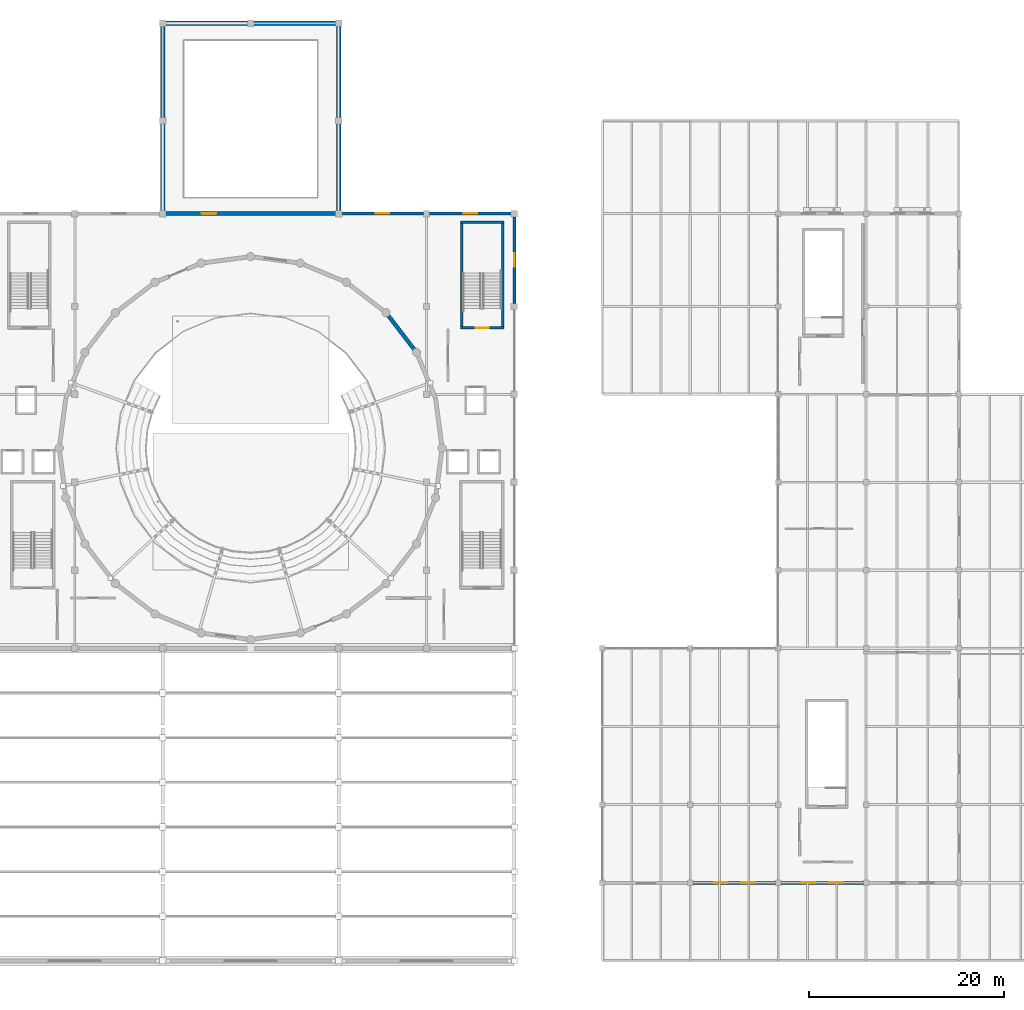
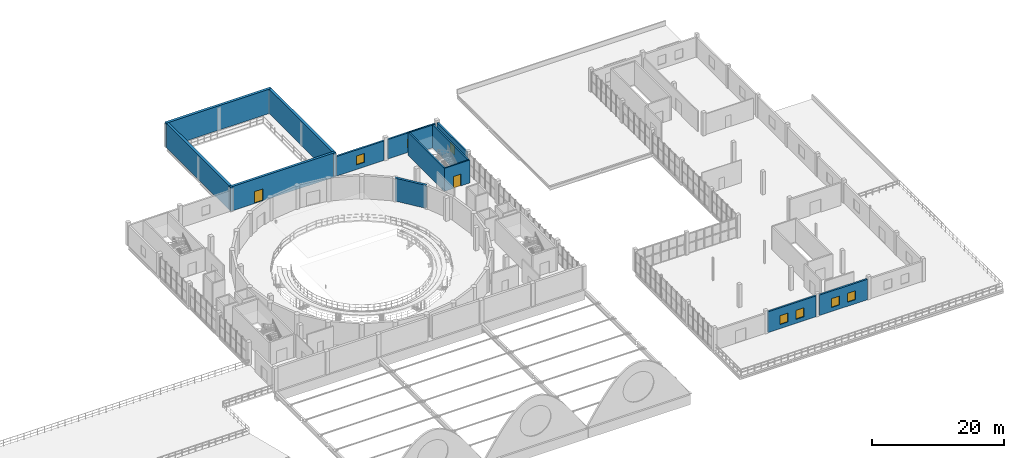
# One storey, part 43 of 54: 14 walls, 7 windows, 2 doors, 9 openings.
"""IFC4 building model written with IfcOpenShell, lengths in metres."""

from ifc_helpers import new_model, si_unit, direction, frame, frame_2d, origin, place, context, subcontext, project, spatial, rectangle, extrude, material, layer, layer_set, type_object, element, fill, save


model = new_model("IFC4")

# Units and contexts
model_context = context("Model", 3, precision=1e-05, world=origin(), true_north=direction((0.0, 1.0)))
body_context = subcontext(model_context, "Body", "Model", "MODEL_VIEW")
ifc_project = project(units=[si_unit("LENGTHUNIT", "METRE"), si_unit("AREAUNIT", "SQUARE_METRE"), si_unit("VOLUMEUNIT", "CUBIC_METRE"), si_unit("PLANEANGLEUNIT", "RADIAN"), si_unit("MASSUNIT", "GRAM", prefix="KILO")], contexts=[model_context])

# Site, building, storey
site_placement = place(None, origin())
site = spatial("IfcSite", under=ifc_project, at=site_placement, CompositionType="ELEMENT")
building_placement = place(site_placement, origin())
building = spatial("IfcBuilding", under=site, at=building_placement, Name="Marnock Terrace Opera House", CompositionType="ELEMENT")
storey_placement = place(building_placement, frame((0.0, 0.0, 19.199951171875)))
storey = spatial("IfcBuildingStorey", under=building, at=storey_placement, Name="L04", CompositionType="ELEMENT", Elevation=19.199951171875)

# Wall, openings, windows
ifc_material_1 = material(Name="Basket Range sandstone ashlar masonry", Category="masonry")
ifc_layer_1 = layer(ifc_material_1, 0.31005859375)
ifc_layer_set_1 = layer_set([ifc_layer_1], Name="Basket Range sandstone ashlar masonry")
wall_type_1 = type_object("IfcWallType", Name="EW-ATTIC-310", PredefinedType="SOLIDWALL", material=ifc_layer_set_1)
wall_1_placement = place(storey_placement, frame((127.27099609375, 16.0, 0.0), z_axis=(0.0, 0.0, 1.0), x_axis=(1.0, 0.0, 0.0)))
wall_1 = element("IfcWall", 1, at=wall_1_placement, inside=storey, type_object=wall_type_1, Name="L04 Volume 5 south sandstone facade 2", PredefinedType="SOLIDWALL", context=body_context, shape_type="SweptSolid", body=[
    extrude(rectangle(XDim=8.4580078125, YDim=0.31005859375, at=frame_2d((4.22900390625, 0.0))), origin(), (0.0, 0.0, 1.0), 3.847412109375),
])
opening_1_placement = place(wall_1_placement, frame((2.119384765625, 0.0, 0.75)))
opening_1 = element("IfcOpeningElement", 2, at=opening_1_placement, cuts=wall_1, Name="Opening WT-138", PredefinedType="OPENING", context=body_context, shape_type="SweptSolid", body=[
    extrude(rectangle(XDim=1.39990234375, YDim=1.64990234375, at=frame_2d((0.699951171875, 0.824951171875))), frame((0.0, 0.1650390625, 0.0), z_axis=(0.0, -1.0, 0.0), x_axis=(1.0, 0.0, 0.0)), (0.0, 0.0, 1.0), 0.330078125),
])
opening_2_placement = place(wall_1_placement, frame((4.938720703125, 0.0, 0.75)))
opening_2 = element("IfcOpeningElement", 3, at=opening_2_placement, cuts=wall_1, Name="Opening WT-138", PredefinedType="OPENING", context=body_context, shape_type="SweptSolid", body=[
    extrude(rectangle(XDim=1.39990234375, YDim=1.64990234375, at=frame_2d((0.699951171875, 0.824951171875))), frame((0.0, 0.1650390625, 0.0), z_axis=(0.0, -1.0, 0.0), x_axis=(1.0, 0.0, 0.0)), (0.0, 0.0, 1.0), 0.330078125),
])
ifc_material_2 = material(Name="Double-glazed acoustic low-E laminated glass", Category="glass")
window_type = type_object("IfcWindowType", Name="WT-ATTIC-1400", PartitioningType="SINGLE_PANEL", PredefinedType="WINDOW", material=ifc_material_2)
window_1_placement = place(opening_1_placement, origin())
window_1 = element("IfcWindow", 4, at=window_1_placement, inside=storey, type_object=window_type, Name="L04 facade window EW-V5S-L04-2.1", OverallHeight=1.64990234375, OverallWidth=1.39990234375, PartitioningType="SINGLE_PANEL", PredefinedType="WINDOW", context=body_context, shape_type="SweptSolid", body=[
    extrude(rectangle(XDim=1.39990234375, YDim=1.64990234375, at=frame_2d((0.699951171875, 0.824951171875))), frame((0.0, 0.030029296875, 0.0), z_axis=(0.0, -1.0, 0.0), x_axis=(1.0, 0.0, 0.0)), (0.0, 0.0, 1.0), 0.06005859375),
])
fill(opening_1, window_1)
window_2_placement = place(opening_2_placement, origin())
window_2 = element("IfcWindow", 5, at=window_2_placement, inside=storey, type_object=window_type, Name="L04 facade window EW-V5S-L04-2.2", OverallHeight=1.64990234375, OverallWidth=1.39990234375, PartitioningType="SINGLE_PANEL", PredefinedType="WINDOW", context=body_context, shape_type="SweptSolid", body=[
    extrude(rectangle(XDim=1.39990234375, YDim=1.64990234375, at=frame_2d((0.699951171875, 0.824951171875))), frame((0.0, 0.030029296875, 0.0), z_axis=(0.0, -1.0, 0.0), x_axis=(1.0, 0.0, 0.0)), (0.0, 0.0, 1.0), 0.06005859375),
])
fill(opening_2, window_2)

wall_2_placement = place(storey_placement, frame((136.27099609375, 16.0, 0.0), z_axis=(0.0, 0.0, 1.0), x_axis=(1.0, 0.0, 0.0)))
wall_2 = element("IfcWall", 6, at=wall_2_placement, inside=storey, type_object=wall_type_1, Name="L04 Volume 5 south sandstone facade 3", PredefinedType="SOLIDWALL", context=body_context, shape_type="SweptSolid", body=[
    extrude(rectangle(XDim=8.4580078125, YDim=0.31005859375, at=frame_2d((4.22900390625, 0.0))), origin(), (0.0, 0.0, 1.0), 3.78955078125),
])
opening_3_placement = place(wall_2_placement, frame((2.119384765625, 0.0, 0.75)))
opening_3 = element("IfcOpeningElement", 7, at=opening_3_placement, cuts=wall_2, Name="Opening WT-138", PredefinedType="OPENING", context=body_context, shape_type="SweptSolid", body=[
    extrude(rectangle(XDim=1.39990234375, YDim=1.64990234375, at=frame_2d((0.699951171875, 0.824951171875))), frame((0.0, 0.1650390625, 0.0), z_axis=(0.0, -1.0, 0.0), x_axis=(1.0, 0.0, 0.0)), (0.0, 0.0, 1.0), 0.330078125),
])
opening_4_placement = place(wall_2_placement, frame((4.938720703125, 0.0, 0.75)))
opening_4 = element("IfcOpeningElement", 8, at=opening_4_placement, cuts=wall_2, Name="Opening WT-138", PredefinedType="OPENING", context=body_context, shape_type="SweptSolid", body=[
    extrude(rectangle(XDim=1.39990234375, YDim=1.64990234375, at=frame_2d((0.699951171875, 0.824951171875))), frame((0.0, 0.1650390625, 0.0), z_axis=(0.0, -1.0, 0.0), x_axis=(1.0, 0.0, 0.0)), (0.0, 0.0, 1.0), 0.330078125),
])
window_3_placement = place(opening_3_placement, origin())
window_3 = element("IfcWindow", 9, at=window_3_placement, inside=storey, type_object=window_type, Name="L04 facade window EW-V5S-L04-3.1", OverallHeight=1.64990234375, OverallWidth=1.39990234375, PartitioningType="SINGLE_PANEL", PredefinedType="WINDOW", context=body_context, shape_type="SweptSolid", body=[
    extrude(rectangle(XDim=1.39990234375, YDim=1.64990234375, at=frame_2d((0.699951171875, 0.824951171875))), frame((0.0, 0.030029296875, 0.0), z_axis=(0.0, -1.0, 0.0), x_axis=(1.0, 0.0, 0.0)), (0.0, 0.0, 1.0), 0.06005859375),
])
fill(opening_3, window_3)
window_4_placement = place(opening_4_placement, origin())
window_4 = element("IfcWindow", 10, at=window_4_placement, inside=storey, type_object=window_type, Name="L04 facade window EW-V5S-L04-3.2", OverallHeight=1.64990234375, OverallWidth=1.39990234375, PartitioningType="SINGLE_PANEL", PredefinedType="WINDOW", context=body_context, shape_type="SweptSolid", body=[
    extrude(rectangle(XDim=1.39990234375, YDim=1.64990234375, at=frame_2d((0.699951171875, 0.824951171875))), frame((0.0, 0.030029296875, 0.0), z_axis=(0.0, -1.0, 0.0), x_axis=(1.0, 0.0, 0.0)), (0.0, 0.0, 1.0), 0.06005859375),
])
fill(opening_4, window_4)

# Wall, opening, window
wall_3_placement = place(storey_placement, frame((91.321044921875, 84.5, 0.0), z_axis=(0.0, 0.0, 1.0), x_axis=(1.0, 0.0, 0.0)))
wall_3 = element("IfcWall", 11, at=wall_3_placement, inside=storey, type_object=wall_type_1, Name="L04 Drum block north wall", PredefinedType="SOLIDWALL", context=body_context, shape_type="SweptSolid", body=[
    extrude(rectangle(XDim=8.35791015625, YDim=0.31005859375, at=frame_2d((4.178955078125, 0.0))), origin(), (0.0, 0.0, 1.0), 3.613037109375),
])
opening_5_placement = place(wall_3_placement, frame((3.47900390625, 0.0, 0.85009765625)))
opening_5 = element("IfcOpeningElement", 12, at=opening_5_placement, cuts=wall_3, Name="Opening WT-138", PredefinedType="OPENING", context=body_context, shape_type="SweptSolid", body=[
    extrude(rectangle(XDim=1.39990234375, YDim=1.64990234375, at=frame_2d((0.699951171875, 0.824951171875))), frame((0.0, 0.1650390625, 0.0), z_axis=(0.0, -1.0, 0.0), x_axis=(1.0, 0.0, 0.0)), (0.0, 0.0, 1.0), 0.330078125),
])
window_5_placement = place(opening_5_placement, origin())
window_5 = element("IfcWindow", 13, at=window_5_placement, inside=storey, type_object=window_type, Name="L04 facade window EW-V1-Y84-L04-91.1", OverallHeight=1.64990234375, OverallWidth=1.39990234375, PartitioningType="SINGLE_PANEL", PredefinedType="WINDOW", context=body_context, shape_type="SweptSolid", body=[
    extrude(rectangle(XDim=1.39990234375, YDim=1.64990234375, at=frame_2d((0.699951171875, 0.824951171875))), frame((0.0, 0.030029296875, 0.0), z_axis=(0.0, -1.0, 0.0), x_axis=(1.0, 0.0, 0.0)), (0.0, 0.0, 1.0), 0.06005859375),
])
fill(opening_5, window_5)

wall_4_placement = place(storey_placement, frame((100.321044921875, 84.5, 0.0), z_axis=(0.0, 0.0, 1.0), x_axis=(1.0, 0.0, 0.0)))
wall_4 = element("IfcWall", 14, at=wall_4_placement, inside=storey, type_object=wall_type_1, Name="L04 Drum block north wall", PredefinedType="SOLIDWALL", context=body_context, shape_type="SweptSolid", body=[
    extrude(rectangle(XDim=8.35791015625, YDim=0.31005859375, at=frame_2d((4.178955078125, 0.0))), origin(), (0.0, 0.0, 1.0), 3.6083984375),
])
opening_6_placement = place(wall_4_placement, frame((3.47900390625, 0.0, 0.85009765625)))
opening_6 = element("IfcOpeningElement", 15, at=opening_6_placement, cuts=wall_4, Name="Opening WT-138", PredefinedType="OPENING", context=body_context, shape_type="SweptSolid", body=[
    extrude(rectangle(XDim=1.39990234375, YDim=1.64990234375, at=frame_2d((0.699951171875, 0.824951171875))), frame((0.0, 0.1650390625, 0.0), z_axis=(0.0, -1.0, 0.0), x_axis=(1.0, 0.0, 0.0)), (0.0, 0.0, 1.0), 0.330078125),
])
window_6_placement = place(opening_6_placement, origin())
window_6 = element("IfcWindow", 16, at=window_6_placement, inside=storey, type_object=window_type, Name="L04 facade window EW-V1-Y84-L04-100.1", OverallHeight=1.64990234375, OverallWidth=1.39990234375, PartitioningType="SINGLE_PANEL", PredefinedType="WINDOW", context=body_context, shape_type="SweptSolid", body=[
    extrude(rectangle(XDim=1.39990234375, YDim=1.64990234375, at=frame_2d((0.699951171875, 0.824951171875))), frame((0.0, 0.030029296875, 0.0), z_axis=(0.0, -1.0, 0.0), x_axis=(1.0, 0.0, 0.0)), (0.0, 0.0, 1.0), 0.06005859375),
])
fill(opening_6, window_6)

wall_5_placement = place(storey_placement, frame((109.0, 75.321044921875, 0.0), z_axis=(0.0, 0.0, 1.0), x_axis=(0.0, 1.0, 0.0)))
wall_5 = element("IfcWall", 17, at=wall_5_placement, inside=storey, type_object=wall_type_1, Name="L04 Drum block E wall", PredefinedType="SOLIDWALL", context=body_context, shape_type="SweptSolid", body=[
    extrude(rectangle(XDim=8.85791015625, YDim=0.31005859375, at=frame_2d((4.428955078125, 0.0))), origin(), (0.0, 0.0, 1.0), 3.864501953125),
])
opening_7_placement = place(wall_5_placement, frame((3.72900390625, 0.0, 0.85009765625)))
opening_7 = element("IfcOpeningElement", 18, at=opening_7_placement, cuts=wall_5, Name="Opening WT-138", PredefinedType="OPENING", context=body_context, shape_type="SweptSolid", body=[
    extrude(rectangle(XDim=1.39990234375, YDim=1.64990234375, at=frame_2d((0.699951171875, 0.824951171875))), frame((0.0, 0.1650390625, 0.0), z_axis=(0.0, -1.0, 0.0), x_axis=(1.0, 0.0, 0.0)), (0.0, 0.0, 1.0), 0.330078125),
])
window_7_placement = place(opening_7_placement, origin())
window_7 = element("IfcWindow", 19, at=window_7_placement, inside=storey, type_object=window_type, Name="L04 facade window EW-V1E-L04-75.1", OverallHeight=1.64990234375, OverallWidth=1.39990234375, PartitioningType="SINGLE_PANEL", PredefinedType="WINDOW", context=body_context, shape_type="SweptSolid", body=[
    extrude(rectangle(XDim=1.39990234375, YDim=1.64990234375, at=frame_2d((0.699951171875, 0.824951171875))), frame((0.0, 0.030029296875, 0.0), z_axis=(0.0, -1.0, 0.0), x_axis=(1.0, 0.0, 0.0)), (0.0, 0.0, 1.0), 0.06005859375),
])
fill(opening_7, window_7)

# Wall, opening, door
ifc_material_3 = material(Name="Concrete N40 (f'c = 40 MPa)", Category="concrete")
ifc_layer_2 = layer(ifc_material_3, 0.25)
ifc_layer_set_2 = layer_set([ifc_layer_2], Name="Concrete N40 (f'c = 40 MPa)")
wall_type_2 = type_object("IfcWallType", Name="SW-CORE-250", PredefinedType="SHEAR", material=ifc_layer_set_2)
wall_6_placement = place(storey_placement, frame((103.47509765625, 72.800048828125, 0.0), z_axis=(0.0, 0.0, 1.0), x_axis=(1.0, 0.0, 0.0)))
wall_6 = element("IfcWall", 20, at=wall_6_placement, inside=storey, type_object=wall_type_2, Name="L04 Core C4 FRL 120/120/120 shear wall S", PredefinedType="SHEAR", context=body_context, shape_type="SweptSolid", body=[
    extrude(rectangle(XDim=4.449951171875, YDim=0.25, at=frame_2d((2.22509765625, 0.0))), origin(), (0.0, 0.0, 1.0), 4.25),
])
opening_8_placement = place(wall_6_placement, frame((1.574951171875, 0.0, 0.0)))
opening_8 = element("IfcOpeningElement", 21, at=opening_8_placement, cuts=wall_6, Name="Opening SD-C4-L04", PredefinedType="OPENING", context=body_context, shape_type="SweptSolid", body=[
    extrude(rectangle(XDim=1.300048828125, YDim=2.179931640625, at=frame_2d((0.64990234375, 1.08984375))), frame((0.0, 0.135009765625, 0.0), z_axis=(0.0, -1.0, 0.0), x_axis=(1.0, 0.0, 0.0)), (0.0, 0.0, 1.0), 0.27001953125),
])
ifc_material_4 = material(Name="Fire-rated acoustic timber-core door assembly", Category="wood")
door_type_1 = type_object("IfcDoorType", Name="DT-STAIR-1300", OperationType="NOTDEFINED", PredefinedType="DOOR", material=ifc_material_4)
door_1_placement = place(opening_8_placement, origin())
door_1 = element("IfcDoor", 22, at=door_1_placement, inside=storey, type_object=door_type_1, Name="L04 Stair ST-04 fire-isolated exit door", OperationType="SINGLE_SWING_LEFT", OverallHeight=2.179931640625, OverallWidth=1.300048828125, PredefinedType="DOOR", context=body_context, shape_type="SweptSolid", body=[
    extrude(rectangle(XDim=1.300048828125, YDim=2.179931640625, at=frame_2d((0.64990234375, 1.08984375))), frame((0.0, 0.02490234375, 0.0), z_axis=(0.0, -1.0, 0.0), x_axis=(1.0, 0.0, 0.0)), (0.0, 0.0, 1.0), 0.050048828125),
])
fill(opening_8, door_1)

# Walls
wall_7_placement = place(storey_placement, frame((103.47509765625, 83.639892578125, 0.0), z_axis=(0.0, 0.0, 1.0), x_axis=(1.0, 0.0, 0.0)))
element("IfcWall", 23, at=wall_7_placement, inside=storey, type_object=wall_type_2, Name="L04 Core C4 FRL 120/120/120 shear wall N", PredefinedType="SHEAR", context=body_context, shape_type="SweptSolid", body=[
    extrude(rectangle(XDim=4.449951171875, YDim=0.25, at=frame_2d((2.22509765625, 0.0))), origin(), (0.0, 0.0, 1.0), 4.25),
])
for number, where, z_axis, x_axis, name in (
    (24, (103.60009765625, 72.675048828125, 0.0), (0.0, 0.0, 1.0), (0.0, 1.0, 0.0), "L04 Core C4 FRL 120/120/120 shear wall W"),
    (25, (107.800048828125, 72.675048828125, 0.0), (0.0, 0.0, 1.0), (0.0, 1.0, 0.0), "L04 Core C4 FRL 120/120/120 shear wall E"),
):
    element("IfcWall", number, at=place(storey_placement, frame(where, z_axis=z_axis, x_axis=x_axis)), inside=storey, type_object=wall_type_2, Name=name, PredefinedType="SHEAR", context=body_context, shape_type="SweptSolid", body=[
        extrude(rectangle(XDim=11.08984375, YDim=0.25, at=frame_2d((5.544921875, 0.0))), origin(), (0.0, 0.0, 1.0), 4.25),
    ])
ifc_material_5 = material(Name="Concrete N50 (f'c = 50 MPa)", Category="concrete")
ifc_layer_3 = layer(ifc_material_5, 0.39990234375)
ifc_layer_set_3 = layer_set([ifc_layer_3], Name="Concrete N50 (f'c = 50 MPa)")
wall_type_3 = type_object("IfcWallType", Name="SW-DRUM-400", PredefinedType="SHEAR", material=ifc_layer_set_3)
wall_8_placement = place(storey_placement, frame((98.97412109375, 70.300048828125, 0.0), z_axis=(0.0, 0.0, 1.0), x_axis=(-0.608857194409, 0.793279847731, 0.0)))
element("IfcWall", 26, at=wall_8_placement, inside=storey, type_object=wall_type_3, Name="L04 cylindrical auditorium drum shear wall 3", PredefinedType="SHEAR", context=body_context, shape_type="SweptSolid", body=[
    extrude(rectangle(XDim=5.116455078125, YDim=0.39990234375, at=frame_2d((2.55810546875, 0.0))), origin(), (0.0, 0.0, 1.0), 4.25),
])
ifc_layer_4 = layer(ifc_material_5, 0.449951171875)
ifc_layer_set_4 = layer_set([ifc_layer_4], Name="Concrete N50 (f'c = 50 MPa)")
wall_type_4 = type_object("IfcWallType", Name="SW-FLY-450", PredefinedType="SHEAR", material=ifc_layer_set_4)
wall_9_placement = place(storey_placement, frame((72.77490234375, 104.0, 0.0), z_axis=(0.0, 0.0, 1.0), x_axis=(1.0, 0.0, 0.0)))
element("IfcWall", 27, at=wall_9_placement, inside=storey, type_object=wall_type_4, Name="L04 Fly Tower north shear wall", PredefinedType="SHEAR", context=body_context, shape_type="SweptSolid", body=[
    extrude(rectangle(XDim=18.4501953125, YDim=0.449951171875, at=frame_2d((9.22509765625, 0.0))), origin(), (0.0, 0.0, 1.0), 4.5),
])
for number, where, z_axis, x_axis, name in (
    (28, (73.0, 84.27490234375, 0.0), (0.0, 0.0, 1.0), (0.0, 1.0, 0.0), "L04 Fly Tower west shear wall"),
    (29, (91.0, 84.27490234375, 0.0), (0.0, 0.0, 1.0), (0.0, 1.0, 0.0), "L04 Fly Tower east shear wall"),
):
    element("IfcWall", number, at=place(storey_placement, frame(where, z_axis=z_axis, x_axis=x_axis)), inside=storey, type_object=wall_type_4, Name=name, PredefinedType="SHEAR", context=body_context, shape_type="SweptSolid", body=[
        extrude(rectangle(XDim=19.9501953125, YDim=0.449951171875, at=frame_2d((9.97509765625, 0.0))), origin(), (0.0, 0.0, 1.0), 4.5),
    ])

# Wall, opening, door
ifc_layer_5 = layer(ifc_material_5, 0.419921875)
ifc_layer_set_5 = layer_set([ifc_layer_5], Name="Concrete N50 (f'c = 50 MPa)")
wall_type_5 = type_object("IfcWallType", Name="SW-PROSC-420", PredefinedType="SHEAR", material=ifc_layer_set_5)
wall_10_placement = place(storey_placement, frame((72.77490234375, 84.5, 0.0), z_axis=(0.0, 0.0, 1.0), x_axis=(1.0, 0.0, 0.0)))
wall_10 = element("IfcWall", 30, at=wall_10_placement, inside=storey, type_object=wall_type_5, Name="L04 Fly Tower proscenium fire shear wall", PredefinedType="SHEAR", context=body_context, shape_type="SweptSolid", body=[
    extrude(rectangle(XDim=18.4501953125, YDim=0.419921875, at=frame_2d((9.22509765625, 0.0))), origin(), (0.0, 0.0, 1.0), 4.5),
])
opening_9_placement = place(wall_10_placement, frame((4.199951171875, 0.0, 0.0)))
opening_9 = element("IfcOpeningElement", 31, at=opening_9_placement, cuts=wall_10, Name="Opening FD-FLY-L04", PredefinedType="OPENING", context=body_context, shape_type="SweptSolid", body=[
    extrude(rectangle(XDim=1.5, YDim=2.199951171875, at=frame_2d((0.75, 1.10009765625))), frame((0.0, 0.219970703125, 0.0), z_axis=(0.0, -1.0, 0.0), x_axis=(1.0, 0.0, 0.0)), (0.0, 0.0, 1.0), 0.43994140625),
])
door_type_2 = type_object("IfcDoorType", Name="DT-PLANT-1500", OperationType="NOTDEFINED", PredefinedType="DOOR", material=ifc_material_4)
door_2_placement = place(opening_9_placement, origin())
door_2 = element("IfcDoor", 32, at=door_2_placement, inside=storey, type_object=door_type_2, Name="L04 Fly Tower fire-isolated egress door FD-FLY-L04", OperationType="SINGLE_SWING_RIGHT", OverallHeight=2.199951171875, OverallWidth=1.5, PredefinedType="DOOR", context=body_context, shape_type="SweptSolid", body=[
    extrude(rectangle(XDim=1.5, YDim=2.199951171875, at=frame_2d((0.75, 1.10009765625))), frame((0.0, 0.02490234375, 0.0), z_axis=(0.0, -1.0, 0.0), x_axis=(1.0, 0.0, 0.0)), (0.0, 0.0, 1.0), 0.050048828125),
])
fill(opening_9, door_2)

save(model, "model.ifc")
